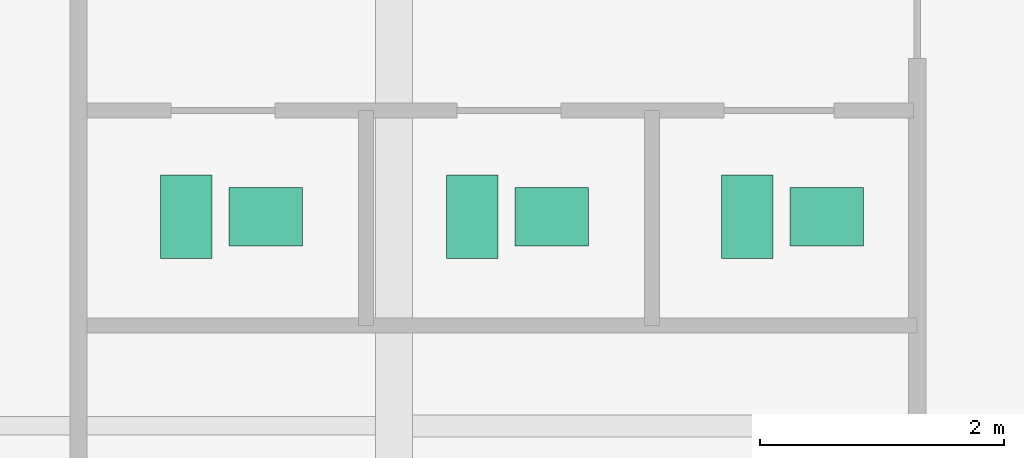
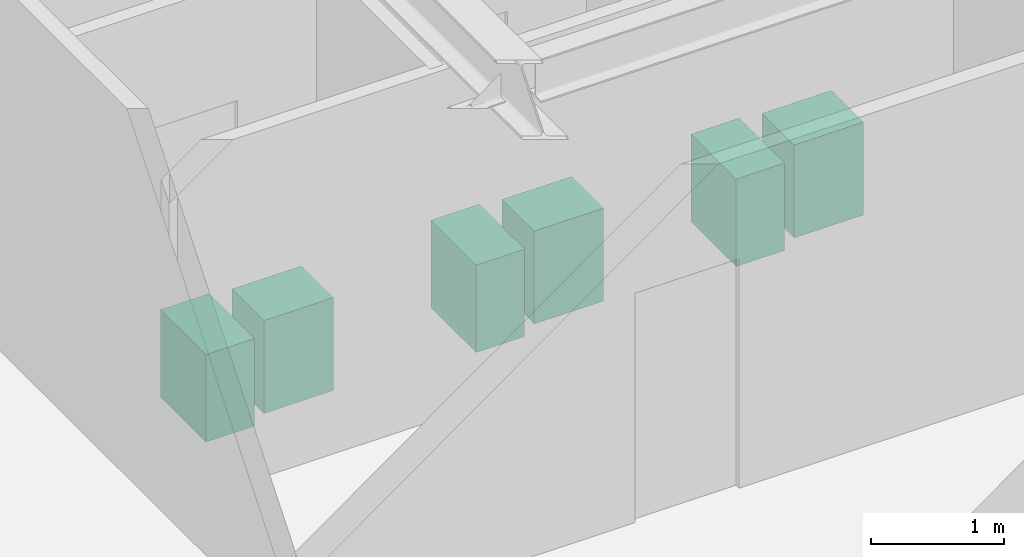
# One storey, part 24 of 24: 6 sanitary terminals.
"""IFC4 building model written with IfcOpenShell, lengths in metres."""

from ifc_helpers import new_model, si_unit, direction, frame, origin, origin_2d, place, context, subcontext, project, spatial, rectangle, extrude, source, transform, mapped, material, type_object, type_shapes, element, save


model = new_model("IFC4")

# Units and contexts
model_context = context("Model", 3, precision=1e-05, world=origin(), true_north=direction((0.0, 1.0)))
body_context = subcontext(model_context, "Body", "Model", "MODEL_VIEW")
ifc_project = project(units=[si_unit("LENGTHUNIT", "METRE"), si_unit("AREAUNIT", "SQUARE_METRE"), si_unit("VOLUMEUNIT", "CUBIC_METRE"), si_unit("PLANEANGLEUNIT", "RADIAN"), si_unit("MASSUNIT", "GRAM", prefix="KILO")], contexts=[model_context])

# Site, building, storey
site_placement = place(None, origin())
site = spatial("IfcSite", under=ifc_project, at=site_placement, CompositionType="ELEMENT")
building_placement = place(site_placement, origin())
building = spatial("IfcBuilding", under=site, at=building_placement, Name="Krantzveldt Concourse Tower", CompositionType="ELEMENT")
storey_placement = place(building_placement, frame((0.0, 0.0, 234.949951171875)))
storey = spatial("IfcBuildingStorey", under=building, at=storey_placement, Name="L57", CompositionType="ELEMENT", Elevation=234.949951171875)

# Sanitary terminals
ifc_material = material(Name="Vitreous china", Category="ceramic")
sanitary_terminal_type_1 = type_object("IfcSanitaryTerminalType", Name="SAN-WC-SUITE", PredefinedType="TOILETPAN", material=ifc_material)
shared_shape_1 = source(origin(), body_context, "Body", "SweptSolid", [
    extrude(rectangle(XDim=0.419921875, YDim=0.679931640625, at=origin_2d()), origin(), (0.0, 0.0, 1.0), 0.800048828125),
])
type_shapes(sanitary_terminal_type_1, [shared_shape_1])
for number, where, z_axis, x_axis, name in (
    (1, (28.89990234375, 31.909912109375, 0.0), (0.0, 0.0, 1.0), (1.0, 0.0, 0.0), "WC-SP-L57-WCM"),
    (2, (31.239990234375, 31.909912109375, 0.0), (0.0, 0.0, 1.0), (1.0, 0.0, 0.0), "WC-SP-L57-WCF"),
    (3, (33.489990234375, 31.909912109375, 0.0), (0.0, 0.0, 1.0), (1.0, 0.0, 0.0), "WC-SP-L57-WCA"),
):
    element("IfcSanitaryTerminal", number, at=place(storey_placement, frame(where, z_axis=z_axis, x_axis=x_axis)), inside=storey, type_object=sanitary_terminal_type_1, Name=name, PredefinedType="TOILETPAN", context=body_context, shape_type="MappedRepresentation", body=[
        mapped(shared_shape_1, transform((0.0, 0.0, 0.0), x_axis=(1.0, 0.0, 0.0), y_axis=(0.0, 1.0, 0.0), z_axis=(0.0, 0.0, 1.0), scale=1.0)),
    ])
sanitary_terminal_type_2 = type_object("IfcSanitaryTerminalType", Name="SAN-BASIN-600", PredefinedType="WASHHANDBASIN", material=ifc_material)
shared_shape_2 = source(origin(), body_context, "Body", "SweptSolid", [
    extrude(rectangle(XDim=0.60009765625, YDim=0.47998046875, at=origin_2d()), origin(), (0.0, 0.0, 1.0), 0.85009765625),
])
type_shapes(sanitary_terminal_type_2, [shared_shape_2])
for number, where, z_axis, x_axis, name in (
    (4, (29.550048828125, 31.909912109375, 0.0048828125), (0.0, 0.0, 1.0), (1.0, 0.0, 0.0), "BSN-SP-L57-WCM"),
    (5, (31.889892578125, 31.909912109375, 0.0048828125), (0.0, 0.0, 1.0), (1.0, 0.0, 0.0), "BSN-SP-L57-WCF"),
    (6, (34.139892578125, 31.909912109375, 0.0048828125), (0.0, 0.0, 1.0), (1.0, 0.0, 0.0), "BSN-SP-L57-WCA"),
):
    element("IfcSanitaryTerminal", number, at=place(storey_placement, frame(where, z_axis=z_axis, x_axis=x_axis)), inside=storey, type_object=sanitary_terminal_type_2, Name=name, PredefinedType="WASHHANDBASIN", context=body_context, shape_type="MappedRepresentation", body=[
        mapped(shared_shape_2, transform((0.0, 0.0, 0.0), x_axis=(1.0, 0.0, 0.0), y_axis=(0.0, 1.0, 0.0), z_axis=(0.0, 0.0, 1.0), scale=1.0)),
    ])

save(model, "model.ifc")
